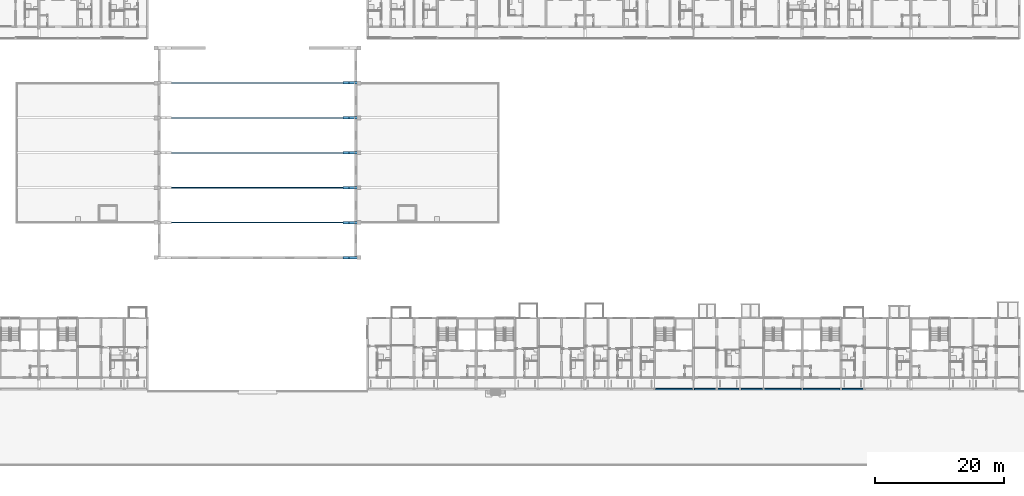
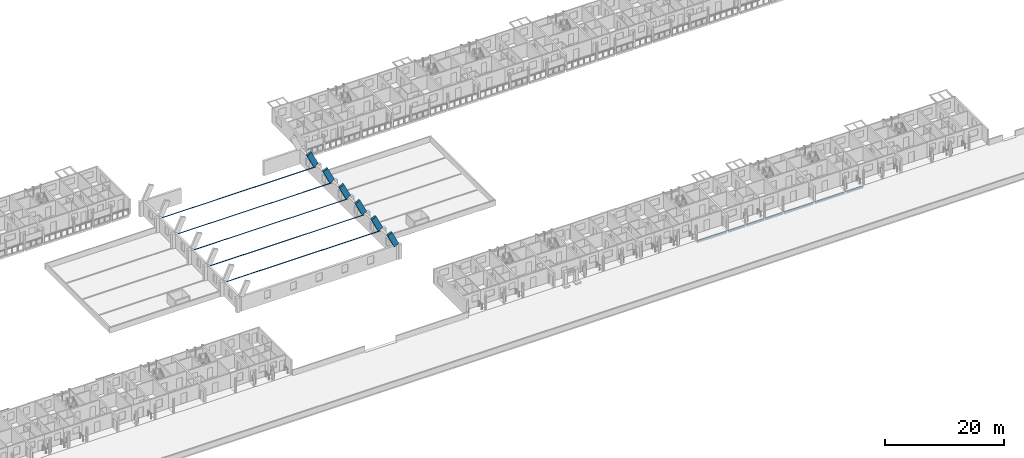
# One storey, part 22 of 115: 13 beams, 5 members.
"""IFC4 building model written with IfcOpenShell, lengths in metres."""

from ifc_helpers import new_model, si_unit, direction, frame, origin, origin_2d, place, context, subcontext, project, spatial, rectangle, hollow_circle, extrude, material, material_profile, profile_set, type_object, element, save


model = new_model("IFC4")

# Units and contexts
model_context = context("Model", 3, precision=1e-05, world=origin(), true_north=direction((0.0, 1.0)))
body_context = subcontext(model_context, "Body", "Model", "MODEL_VIEW")
ifc_project = project(units=[si_unit("LENGTHUNIT", "METRE"), si_unit("AREAUNIT", "SQUARE_METRE"), si_unit("VOLUMEUNIT", "CUBIC_METRE"), si_unit("PLANEANGLEUNIT", "RADIAN"), si_unit("MASSUNIT", "GRAM", prefix="KILO")], contexts=[model_context])

# Site, building, storey
site_placement = place(None, origin())
site = spatial("IfcSite", under=ifc_project, at=site_placement, CompositionType="ELEMENT")
building_placement = place(site_placement, origin())
building = spatial("IfcBuilding", under=site, at=building_placement, Name="Ridgestep Commons", CompositionType="ELEMENT")
storey_placement = place(building_placement, frame((0.0, 0.0, 6.0)))
storey = spatial("IfcBuildingStorey", under=building, at=storey_placement, Name="L02", CompositionType="ELEMENT", Elevation=6.0)

# Members
ifc_material_1 = material(Name="Structural steel S355JR", Category="steel")
ifc_material_profile_1 = material_profile(ifc_material_1, hollow_circle(Radius=0.04443359375, WallThickness=0.0048828125, at=origin_2d()), Name="CHS 88.9x5.0")
ifc_profile_set_1 = profile_set([ifc_material_profile_1], Name="Structural steel S355JR")
member_type = type_object("IfcMemberType", Name="Hall tie rod CHS 88.9 x 5", PredefinedType="BRACE", material=ifc_profile_set_1)
for number, where, z_axis, x_axis, name in (
    (1, (114.819580078125, 37.60009765625, 2.550048828125), (1.0, 0.0, 0.0), (0.0, 1.0, 0.0), "Hall tie rod 1"),
    (2, (114.819580078125, 43.0, 2.550048828125), (1.0, 0.0, 0.0), (0.0, 1.0, 0.0), "Hall tie rod 2"),
    (3, (114.819580078125, 48.39990234375, 2.550048828125), (1.0, 0.0, 0.0), (0.0, 1.0, 0.0), "Hall tie rod 3"),
    (4, (114.819580078125, 53.800048828125, 2.550048828125), (1.0, 0.0, 0.0), (0.0, 1.0, 0.0), "Hall tie rod 4"),
    (5, (114.819580078125, 59.199951171875, 2.550048828125), (1.0, 0.0, 0.0), (0.0, 1.0, 0.0), "Hall tie rod 5"),
):
    element("IfcMember", number, at=place(storey_placement, frame(where, z_axis=z_axis, x_axis=x_axis)), inside=storey, type_object=member_type, Name=name, PredefinedType="BRACE", context=body_context, shape_type="SweptSolid", body=[
        extrude(hollow_circle(Radius=0.04443359375, WallThickness=0.0048828125, at=origin_2d()), origin(), (0.0, 0.0, 1.0), 29.9609375),
    ])

# Beams
ifc_material_2 = material(Name="Precast concrete C50/60", Category="concrete")
ifc_material_profile_2 = material_profile(ifc_material_2, rectangle(XDim=0.39990234375, YDim=1.0, at=origin_2d()), Name="Hall vault rib 400 x 1000")
ifc_profile_set_2 = profile_set([ifc_material_profile_2], Name="Precast concrete C50/60")
beam_type_1 = type_object("IfcBeamType", Name="Hall vault rib 400 x 1000", PredefinedType="BEAM", material=ifc_profile_set_2)
for number, where, z_axis, x_axis, name in (
    (6, (143.5068359375, 32.199951171875, 5.72021484375), (0.429357705231, 0.0, -0.903134519858), (0.0, 1.0, 0.0), "Hall vault rib R1"),
    (7, (143.5068359375, 37.60009765625, 5.72021484375), (0.429357705231, 0.0, -0.903134519858), (0.0, 1.0, 0.0), "Hall vault rib R2"),
    (8, (143.5068359375, 43.0, 5.72021484375), (0.429357705231, 0.0, -0.903134519858), (0.0, 1.0, 0.0), "Hall vault rib R3"),
    (9, (143.5068359375, 48.39990234375, 5.72021484375), (0.429357705231, 0.0, -0.903134519858), (0.0, 1.0, 0.0), "Hall vault rib R4"),
    (10, (143.5068359375, 53.800048828125, 5.72021484375), (0.429357705231, 0.0, -0.903134519858), (0.0, 1.0, 0.0), "Hall vault rib R5"),
    (11, (143.5068359375, 59.199951171875, 5.72021484375), (0.429357705231, 0.0, -0.903134519858), (0.0, 1.0, 0.0), "Hall vault rib R6"),
):
    element("IfcBeam", number, at=place(storey_placement, frame(where, z_axis=z_axis, x_axis=x_axis)), inside=storey, type_object=beam_type_1, Name=name, PredefinedType="BEAM", context=body_context, shape_type="SweptSolid", body=[
        extrude(rectangle(XDim=0.39990234375, YDim=1.0, at=origin_2d()), origin(), (0.0, 0.0, 1.0), 3.011962890625),
    ])
ifc_material_3 = material(Name="Precast concrete C40/50", Category="concrete")
ifc_material_profile_3 = material_profile(ifc_material_3, rectangle(XDim=0.25, YDim=0.35009765625, at=origin_2d()), Name="PC 250x350")
ifc_profile_set_3 = profile_set([ifc_material_profile_3], Name="Precast concrete C40/50")
beam_type_2 = type_object("IfcBeamType", Name="Loggia edge beam 250 x 350", PredefinedType="SPANDREL", material=ifc_profile_set_3)
beam_1_placement = place(storey_placement, frame((191.324951171875, 11.875, -0.375), z_axis=(1.0, 0.0, 0.0), x_axis=(0.0, 1.0, 0.0)))
element("IfcBeam", 12, at=beam_1_placement, inside=storey, type_object=beam_type_2, Name="Loggia edge beam D3C L02", PredefinedType="SPANDREL", context=body_context, shape_type="SweptSolid", body=[
    extrude(rectangle(XDim=0.25, YDim=0.35009765625, at=origin_2d()), origin(), (0.0, 0.0, 1.0), 5.72509765625),
])
beam_2_placement = place(storey_placement, frame((197.35009765625, 11.875, -0.375), z_axis=(1.0, 0.0, 0.0), x_axis=(0.0, 1.0, 0.0)))
element("IfcBeam", 13, at=beam_2_placement, inside=storey, type_object=beam_type_2, Name="Loggia edge beam D4T1 L02", PredefinedType="SPANDREL", context=body_context, shape_type="SweptSolid", body=[
    extrude(rectangle(XDim=0.25, YDim=0.35009765625, at=origin_2d()), origin(), (0.0, 0.0, 1.0), 3.324951171875),
])
beam_3_placement = place(storey_placement, frame((200.925048828125, 11.875, -0.375), z_axis=(1.0, 0.0, 0.0), x_axis=(0.0, 1.0, 0.0)))
element("IfcBeam", 14, at=beam_3_placement, inside=storey, type_object=beam_type_2, Name="Loggia edge beam D4T2 L02", PredefinedType="SPANDREL", context=body_context, shape_type="SweptSolid", body=[
    extrude(rectangle(XDim=0.25, YDim=0.35009765625, at=origin_2d()), origin(), (0.0, 0.0, 1.0), 3.349853515625),
])
beam_4_placement = place(storey_placement, frame((204.52490234375, 11.875, -0.375), z_axis=(1.0, 0.0, 0.0), x_axis=(0.0, 1.0, 0.0)))
element("IfcBeam", 15, at=beam_4_placement, inside=storey, type_object=beam_type_2, Name="Loggia edge beam D4T3 L02", PredefinedType="SPANDREL", context=body_context, shape_type="SweptSolid", body=[
    extrude(rectangle(XDim=0.25, YDim=0.35009765625, at=origin_2d()), origin(), (0.0, 0.0, 1.0), 3.35009765625),
])
for number, where, z_axis, x_axis, name in (
    (16, (208.125, 11.875, -0.375), (1.0, 0.0, 0.0), (0.0, 1.0, 0.0), "Loggia edge beam D4C L02"),
    (17, (214.14990234375, 11.875, -0.375), (1.0, 0.0, 0.0), (0.0, 1.0, 0.0), "Loggia edge beam D5C L02"),
):
    element("IfcBeam", number, at=place(storey_placement, frame(where, z_axis=z_axis, x_axis=x_axis)), inside=storey, type_object=beam_type_2, Name=name, PredefinedType="SPANDREL", context=body_context, shape_type="SweptSolid", body=[
        extrude(rectangle(XDim=0.25, YDim=0.35009765625, at=origin_2d()), origin(), (0.0, 0.0, 1.0), 5.72509765625),
    ])
beam_5_placement = place(storey_placement, frame((220.125, 11.875, -0.375), z_axis=(1.0, 0.0, 0.0), x_axis=(0.0, 1.0, 0.0)))
element("IfcBeam", 18, at=beam_5_placement, inside=storey, type_object=beam_type_2, Name="Loggia edge beam D5T3 L02", PredefinedType="SPANDREL", context=body_context, shape_type="SweptSolid", body=[
    extrude(rectangle(XDim=0.25, YDim=0.35009765625, at=origin_2d()), origin(), (0.0, 0.0, 1.0), 3.35009765625),
])

save(model, "model.ifc")
